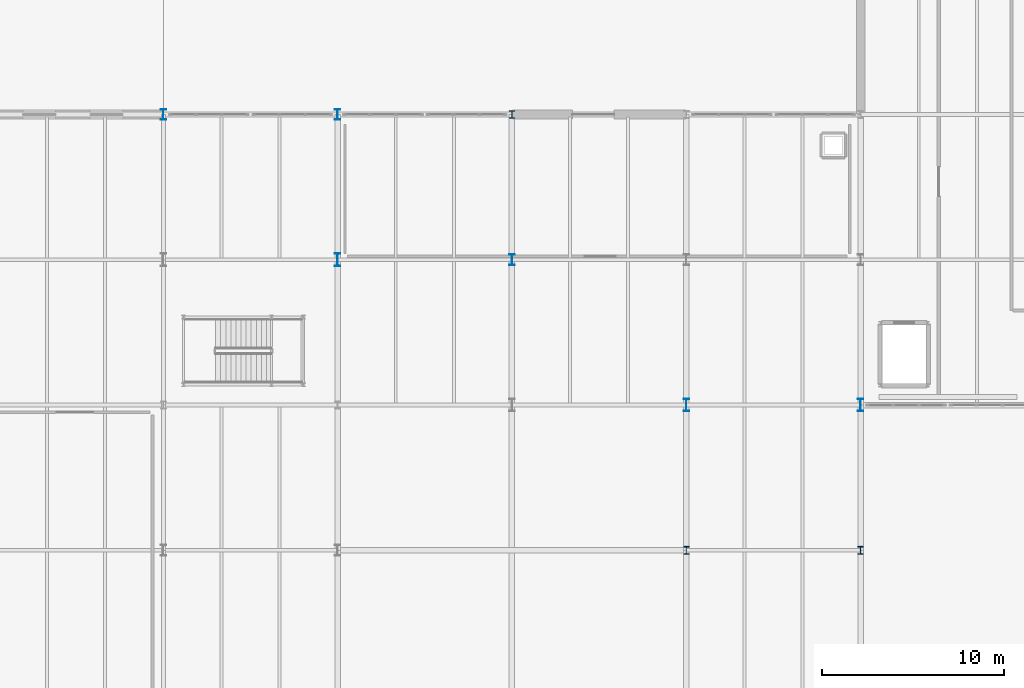
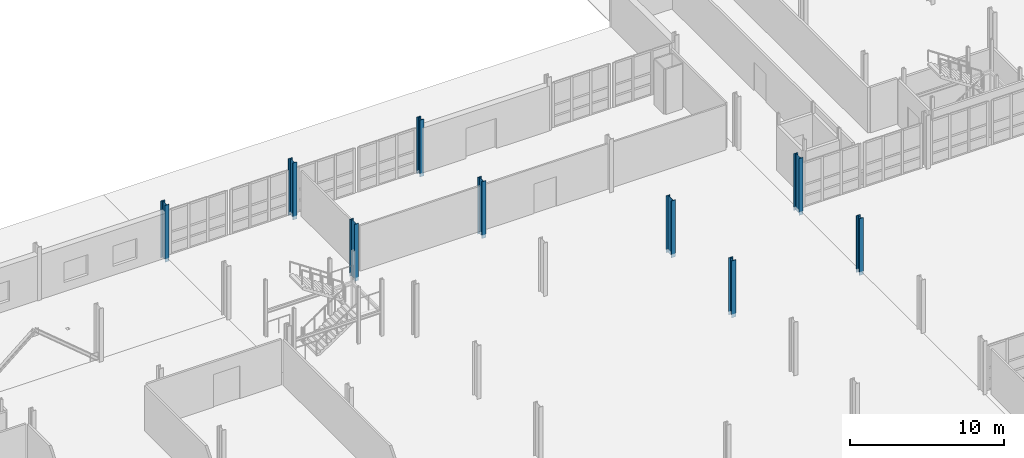
# One storey, part 19 of 78: 9 columns.
"""IFC4 building model written with IfcOpenShell, lengths in metres."""

from ifc_helpers import new_model, si_unit, direction, frame, origin, origin_2d, place, context, subcontext, project, spatial, i_section, extrude, material, material_profile, profile_set, type_object, element, save


model = new_model("IFC4")

# Units and contexts
model_context = context("Model", 3, precision=1e-05, world=origin(), true_north=direction((0.0, 1.0)))
body_context = subcontext(model_context, "Body", "Model", "MODEL_VIEW")
ifc_project = project(units=[si_unit("LENGTHUNIT", "METRE"), si_unit("AREAUNIT", "SQUARE_METRE"), si_unit("VOLUMEUNIT", "CUBIC_METRE"), si_unit("PLANEANGLEUNIT", "RADIAN"), si_unit("MASSUNIT", "GRAM", prefix="KILO")], contexts=[model_context])

# Site, building, storey
site_placement = place(None, origin())
site = spatial("IfcSite", under=ifc_project, at=site_placement, CompositionType="ELEMENT")
building_placement = place(site_placement, origin())
building = spatial("IfcBuilding", under=site, at=building_placement, Name="Alderhovde Museum", CompositionType="ELEMENT")
storey_placement = place(building_placement, origin())
storey = spatial("IfcBuildingStorey", under=building, at=storey_placement, Name="L00", CompositionType="ELEMENT", Elevation=0.0)

# Columns
ifc_material_1 = material(Name="Steel S355J2", Category="steel")
ifc_material_profile_1 = material_profile(ifc_material_1, i_section(OverallWidth=0.300048828125, OverallDepth=0.60009765625, WebThickness=0.015380859375, FlangeThickness=0.030029296875, FilletRadius=0.027099609375, at=origin_2d()), Name="HEB 600")
ifc_profile_set_1 = profile_set([ifc_material_profile_1], Name="Steel S355J2")
column_type_1 = type_object("IfcColumnType", Name="COL-HEB600", PredefinedType="COLUMN", material=ifc_profile_set_1)
for number, where, z_axis, x_axis, name in (
    (1, (76.800048828125, 88.0, -0.280029296875), (0.0, 0.0, 1.0), (1.0, 0.0, 0.0), "L00 Column (76.8, 88.0)"),
    (2, (86.39990234375, 88.0, -0.280029296875), (0.0, 0.0, 1.0), (1.0, 0.0, 0.0), "L00 Column (86.4, 88.0)"),
    (3, (96.0, 80.0, -0.280029296875), (0.0, 0.0, 1.0), (1.0, 0.0, 0.0), "L00 Column (96.0, 80.0)"),
):
    element("IfcColumn", number, at=place(storey_placement, frame(where, z_axis=z_axis, x_axis=x_axis)), inside=storey, type_object=column_type_1, Name=name, PredefinedType="COLUMN", context=body_context, shape_type="SweptSolid", body=[
        extrude(i_section(OverallWidth=0.300048828125, OverallDepth=0.60009765625, WebThickness=0.015380859375, FlangeThickness=0.030029296875, FilletRadius=0.027099609375, at=origin_2d()), origin(), (0.0, 0.0, 1.0), 4.52001953125),
    ])
ifc_material_2 = material(Name="Steel S355J2", Category="steel")
ifc_material_profile_2 = material_profile(ifc_material_2, i_section(OverallWidth=0.300048828125, OverallDepth=0.699951171875, WebThickness=0.01708984375, FlangeThickness=0.031982421875, FilletRadius=0.027099609375, at=origin_2d()), Name="HEB 700")
ifc_profile_set_2 = profile_set([ifc_material_profile_2], Name="Steel S355J2")
column_type_2 = type_object("IfcColumnType", Name="COL-HEB700", PredefinedType="COLUMN", material=ifc_profile_set_2)
for number, where, z_axis, x_axis, name in (
    (4, (86.39990234375, 80.0, -0.280029296875), (0.0, 0.0, 1.0), (1.0, 0.0, 0.0), "L00 Column (86.4, 80.0)"),
    (5, (105.60009765625, 72.0, -0.280029296875), (0.0, 0.0, 1.0), (1.0, 0.0, 0.0), "L00 Column (105.6, 72.0)"),
    (6, (115.199951171875, 72.0, -0.280029296875), (0.0, 0.0, 1.0), (1.0, 0.0, 0.0), "L00 Column (115.2, 72.0)"),
):
    element("IfcColumn", number, at=place(storey_placement, frame(where, z_axis=z_axis, x_axis=x_axis)), inside=storey, type_object=column_type_2, Name=name, PredefinedType="COLUMN", context=body_context, shape_type="SweptSolid", body=[
        extrude(i_section(OverallWidth=0.300048828125, OverallDepth=0.699951171875, WebThickness=0.01708984375, FlangeThickness=0.031982421875, FilletRadius=0.027099609375, at=origin_2d()), origin(), (0.0, 0.0, 1.0), 4.52001953125),
    ])
ifc_material_3 = material(Name="Steel S355J2", Category="steel")
ifc_material_profile_3 = material_profile(ifc_material_3, i_section(OverallWidth=0.306884765625, OverallDepth=0.431884765625, WebThickness=0.02099609375, FlangeThickness=0.0400390625, FilletRadius=0.027099609375, at=origin_2d()), Name="HEM 400")
ifc_profile_set_3 = profile_set([ifc_material_profile_3], Name="Steel S355J2")
column_type_3 = type_object("IfcColumnType", Name="COL-HEM400", PredefinedType="COLUMN", material=ifc_profile_set_3)
for number, where, z_axis, x_axis, name in (
    (7, (96.0, 88.0, -0.280029296875), (0.0, 0.0, 1.0), (1.0, 0.0, 0.0), "L00 Column (96.0, 88.0)"),
    (8, (105.60009765625, 64.0, -0.280029296875), (0.0, 0.0, 1.0), (1.0, 0.0, 0.0), "L00 Column (105.6, 64.0)"),
    (9, (115.199951171875, 64.0, -0.280029296875), (0.0, 0.0, 1.0), (1.0, 0.0, 0.0), "L00 Column (115.2, 64.0)"),
):
    element("IfcColumn", number, at=place(storey_placement, frame(where, z_axis=z_axis, x_axis=x_axis)), inside=storey, type_object=column_type_3, Name=name, PredefinedType="COLUMN", context=body_context, shape_type="SweptSolid", body=[
        extrude(i_section(OverallWidth=0.306884765625, OverallDepth=0.431884765625, WebThickness=0.02099609375, FlangeThickness=0.0400390625, FilletRadius=0.027099609375, at=origin_2d()), origin(), (0.0, 0.0, 1.0), 4.52001953125),
    ])

save(model, "model.ifc")
